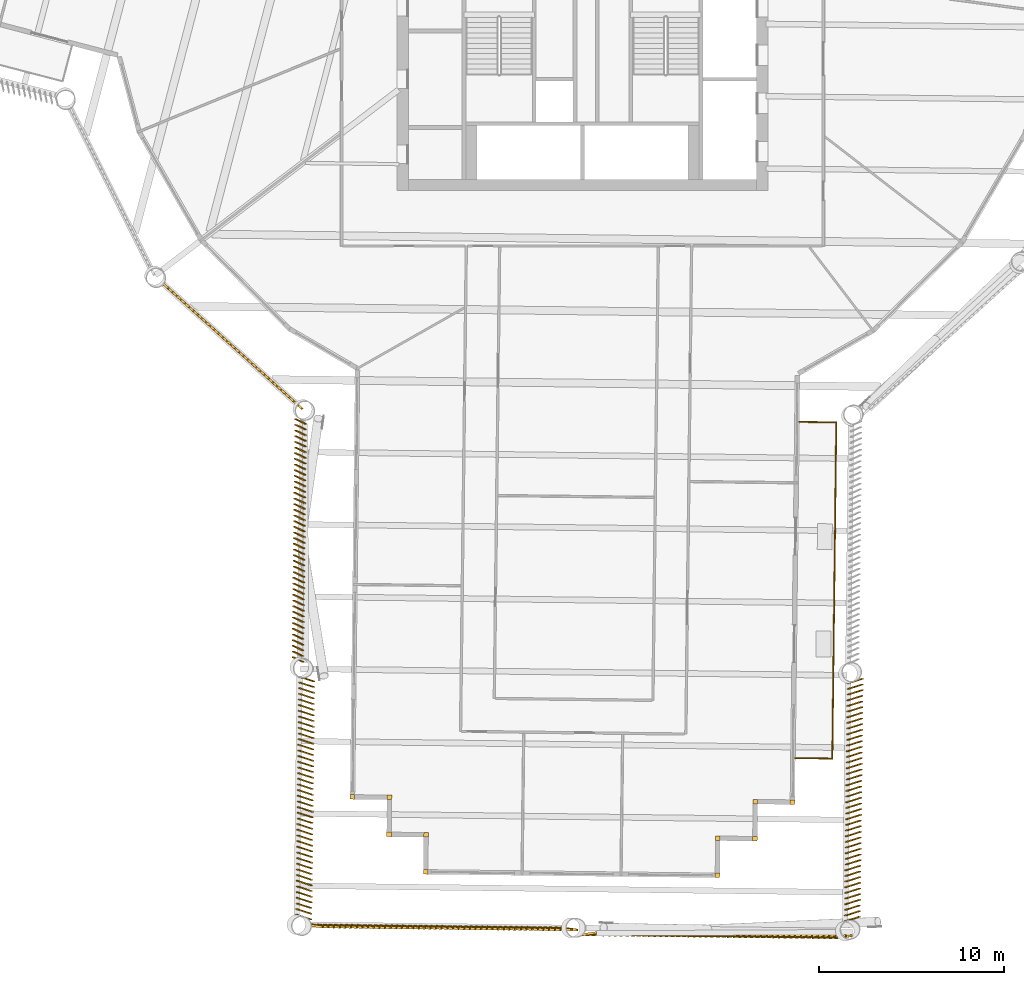
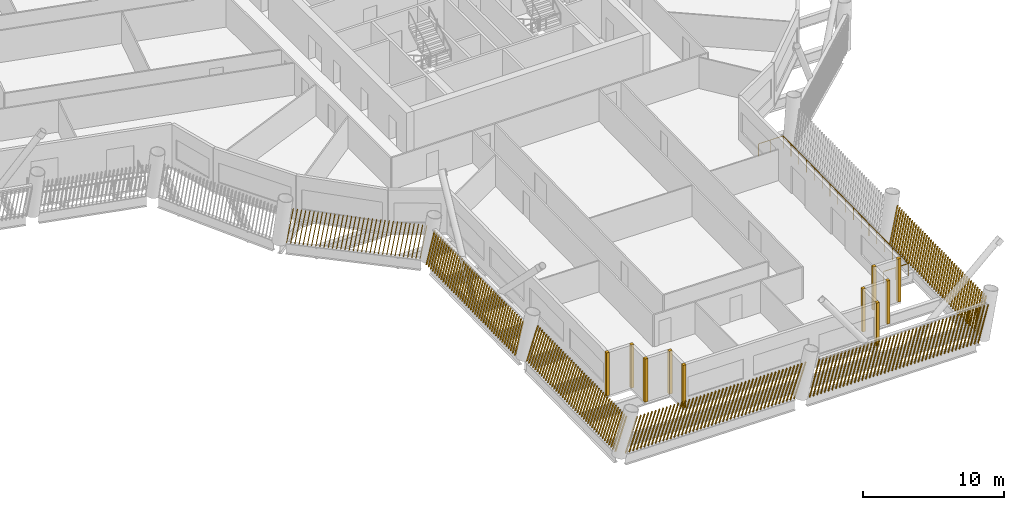
# One storey, part 17 of 21: 16 shading devices, 1 railing.
"""IFC4 building model written with IfcOpenShell, lengths in metres."""

from ifc_helpers import new_model, si_unit, direction, frame, frame_2d, origin, origin_2d, place, context, subcontext, project, spatial, rectangle, circle, composite_profile, extrude, material, type_object, element, save


model = new_model("IFC4")

# Units and contexts
model_context = context("Model", 3, precision=1e-05, world=origin(), true_north=direction((0.0, 1.0)))
body_context = subcontext(model_context, "Body", "Model", "MODEL_VIEW")
ifc_project = project(units=[si_unit("LENGTHUNIT", "METRE"), si_unit("AREAUNIT", "SQUARE_METRE"), si_unit("VOLUMEUNIT", "CUBIC_METRE"), si_unit("PLANEANGLEUNIT", "RADIAN"), si_unit("MASSUNIT", "GRAM", prefix="KILO")], contexts=[model_context])

# Site, building, storey
site_placement = place(None, origin())
site = spatial("IfcSite", under=ifc_project, at=site_placement, CompositionType="ELEMENT")
building_placement = place(site_placement, origin())
building = spatial("IfcBuilding", under=site, at=building_placement, Name="Tarsis Ring Headquarters", CompositionType="ELEMENT")
storey_placement = place(building_placement, frame((0.0, 0.0, 223.800048828125)))
storey = spatial("IfcBuildingStorey", under=building, at=storey_placement, Name="L52", CompositionType="ELEMENT", Elevation=223.800048828125)

# Railing
ifc_material_1 = material(Name="Stainless steel guard", Category="steel")
railing_type = type_object("IfcRailingType", Name="Balcony balustrade with mesh infill 1100", PredefinedType="BALUSTRADE", material=ifc_material_1)
railing_placement = place(storey_placement, frame((11.48291015625, -43.639404296875, 0.0)))
element("IfcRailing", 1, at=railing_placement, inside=storey, type_object=railing_type, Name="Balcony balustrade L52-16", PredefinedType="BALUSTRADE", context=body_context, shape_type="SweptSolid", body=[
    extrude(circle(Radius=0.030029296875, at=origin_2d()), frame((0.0, 0.0, 1.070068359375), z_axis=(0.999929887743, -0.011841435614, 0.0), x_axis=(0.011841435614, 0.999929887743, 0.0)), (0.0, 0.0, 1.0), 2.0),
    extrude(circle(Radius=0.030029296875, at=origin_2d()), frame((1.999755859375, -0.023681640625, 1.070068359375), z_axis=(0.011876701213, 0.999929469497, 0.0), x_axis=(-0.999929469497, 0.011876701213, 0.0)), (0.0, 0.0, 1.0), 18.151123046875),
    extrude(circle(Radius=0.030029296875, at=origin_2d()), frame((2.21533203125, 18.126220703125, 1.070068359375), z_axis=(-0.999928452303, 0.011962034708, 0.0), x_axis=(-0.011962034708, -0.999928452303, 0.0)), (0.0, 0.0, 1.0), 2.000244140625),
    extrude(circle(Radius=0.02490234375, at=origin_2d()), origin(), (0.0, 0.0, 1.0), 1.0400390625),
    extrude(circle(Radius=0.02490234375, at=origin_2d()), frame((1.0, -0.01171875, 0.0)), (0.0, 0.0, 1.0), 1.0400390625),
    extrude(circle(Radius=0.02490234375, at=origin_2d()), frame((1.999755859375, -0.023681640625, 0.0)), (0.0, 0.0, 1.0), 1.0400390625),
    extrude(circle(Radius=0.02490234375, at=origin_2d()), frame((2.01318359375, 1.110595703125, 0.0)), (0.0, 0.0, 1.0), 1.0400390625),
    extrude(circle(Radius=0.02490234375, at=origin_2d()), frame((2.026611328125, 2.2451171875, 0.0)), (0.0, 0.0, 1.0), 1.0400390625),
    extrude(circle(Radius=0.02490234375, at=origin_2d()), frame((2.040283203125, 3.37939453125, 0.0)), (0.0, 0.0, 1.0), 1.0400390625),
    extrude(circle(Radius=0.02490234375, at=origin_2d()), frame((2.0537109375, 4.513671875, 0.0)), (0.0, 0.0, 1.0), 1.0400390625),
    extrude(circle(Radius=0.02490234375, at=origin_2d()), frame((2.067138671875, 5.648193359375, 0.0)), (0.0, 0.0, 1.0), 1.0400390625),
    extrude(circle(Radius=0.02490234375, at=origin_2d()), frame((2.08056640625, 6.782470703125, 0.0)), (0.0, 0.0, 1.0), 1.0400390625),
    extrude(circle(Radius=0.02490234375, at=origin_2d()), frame((2.093994140625, 7.9169921875, 0.0)), (0.0, 0.0, 1.0), 1.0400390625),
    extrude(circle(Radius=0.02490234375, at=origin_2d()), frame((2.107421875, 9.05126953125, 0.0)), (0.0, 0.0, 1.0), 1.0400390625),
    extrude(circle(Radius=0.02490234375, at=origin_2d()), frame((2.12109375, 10.185546875, 0.0)), (0.0, 0.0, 1.0), 1.0400390625),
    extrude(circle(Radius=0.02490234375, at=origin_2d()), frame((2.134521484375, 11.320068359375, 0.0)), (0.0, 0.0, 1.0), 1.0400390625),
    extrude(circle(Radius=0.02490234375, at=origin_2d()), frame((2.14794921875, 12.454345703125, 0.0)), (0.0, 0.0, 1.0), 1.0400390625),
    extrude(circle(Radius=0.02490234375, at=origin_2d()), frame((2.161376953125, 13.5888671875, 0.0)), (0.0, 0.0, 1.0), 1.0400390625),
    extrude(circle(Radius=0.02490234375, at=origin_2d()), frame((2.1748046875, 14.72314453125, 0.0)), (0.0, 0.0, 1.0), 1.0400390625),
    extrude(circle(Radius=0.02490234375, at=origin_2d()), frame((2.1884765625, 15.857421875, 0.0)), (0.0, 0.0, 1.0), 1.0400390625),
    extrude(circle(Radius=0.02490234375, at=origin_2d()), frame((2.201904296875, 16.991943359375, 0.0)), (0.0, 0.0, 1.0), 1.0400390625),
    extrude(circle(Radius=0.02490234375, at=origin_2d()), frame((2.21533203125, 18.126220703125, 0.0)), (0.0, 0.0, 1.0), 1.0400390625),
    extrude(circle(Radius=0.02490234375, at=origin_2d()), frame((1.21533203125, 18.13818359375, 0.0)), (0.0, 0.0, 1.0), 1.0400390625),
    extrude(circle(Radius=0.02490234375, at=origin_2d()), frame((0.21533203125, 18.150146484375, 0.0)), (0.0, 0.0, 1.0), 1.0400390625),
])

# Shading devices
ifc_material_2 = material(Name="Terracotta baguette", Category="masonry")
shading_device_type_1 = type_object("IfcShadingDeviceType", Name="Terracotta baguette screen", PredefinedType="USERDEFINED", material=ifc_material_2)
shading_device_1_placement = place(storey_placement, frame((-22.7294921875, -17.945556640625, 0.0), z_axis=(0.0, 0.0, 1.0), x_axis=(0.743185509057, -0.66908182386, 0.0)))
element("IfcShadingDevice", 2, at=shading_device_1_placement, inside=storey, type_object=shading_device_type_1, Name="Baguette screen L52-00", ObjectType="Terracotta baguette screen", PredefinedType="USERDEFINED", context=body_context, shape_type="SweptSolid", body=[
    extrude(composite_profile([rectangle(XDim=0.06005859375, YDim=0.1201171875, at=frame_2d((0.030029296875, 0.0))), rectangle(XDim=0.06005859375, YDim=0.1201171875, at=frame_2d((0.33349609375, 0.0))), rectangle(XDim=0.06005859375, YDim=0.1201171875, at=frame_2d((0.636962890625, 0.0))), rectangle(XDim=0.06005859375, YDim=0.1201171875, at=frame_2d((0.9404296875, 0.0))), rectangle(XDim=0.06005859375, YDim=0.1201171875, at=frame_2d((1.243896484375, 0.0))), rectangle(XDim=0.06005859375, YDim=0.1201171875, at=frame_2d((1.54736328125, 0.0))), rectangle(XDim=0.06005859375, YDim=0.1201171875, at=frame_2d((1.85107421875, 0.0))), rectangle(XDim=0.06005859375, YDim=0.1201171875, at=frame_2d((2.154541015625, 0.0))), rectangle(XDim=0.06005859375, YDim=0.1201171875, at=frame_2d((2.4580078125, 0.0))), rectangle(XDim=0.06005859375, YDim=0.1201171875, at=frame_2d((2.761474609375, 0.0))), rectangle(XDim=0.06005859375, YDim=0.1201171875, at=frame_2d((3.06494140625, 0.0))), rectangle(XDim=0.06005859375, YDim=0.1201171875, at=frame_2d((3.368408203125, 0.0))), rectangle(XDim=0.06005859375, YDim=0.1201171875, at=frame_2d((3.671875, 0.0))), rectangle(XDim=0.06005859375, YDim=0.1201171875, at=frame_2d((3.975341796875, 0.0))), rectangle(XDim=0.06005859375, YDim=0.1201171875, at=frame_2d((4.27880859375, 0.0))), rectangle(XDim=0.06005859375, YDim=0.1201171875, at=frame_2d((4.582275390625, 0.0))), rectangle(XDim=0.06005859375, YDim=0.1201171875, at=frame_2d((4.8857421875, 0.0))), rectangle(XDim=0.06005859375, YDim=0.1201171875, at=frame_2d((5.189453125, 0.0))), rectangle(XDim=0.06005859375, YDim=0.1201171875, at=frame_2d((5.492919921875, 0.0))), rectangle(XDim=0.06005859375, YDim=0.1201171875, at=frame_2d((5.79638671875, 0.0))), rectangle(XDim=0.06005859375, YDim=0.1201171875, at=frame_2d((6.099853515625, 0.0))), rectangle(XDim=0.06005859375, YDim=0.1201171875, at=frame_2d((6.4033203125, 0.0))), rectangle(XDim=0.06005859375, YDim=0.1201171875, at=frame_2d((6.706787109375, 0.0))), rectangle(XDim=0.06005859375, YDim=0.1201171875, at=frame_2d((7.01025390625, 0.0))), rectangle(XDim=0.06005859375, YDim=0.1201171875, at=frame_2d((7.313720703125, 0.0))), rectangle(XDim=0.06005859375, YDim=0.1201171875, at=frame_2d((7.6171875, 0.0))), rectangle(XDim=0.06005859375, YDim=0.1201171875, at=frame_2d((7.920654296875, 0.0))), rectangle(XDim=0.06005859375, YDim=0.1201171875, at=frame_2d((8.224365234375, 0.0))), rectangle(XDim=0.06005859375, YDim=0.1201171875, at=frame_2d((8.52783203125, 0.0))), rectangle(XDim=0.06005859375, YDim=0.1201171875, at=frame_2d((8.831298828125, 0.0))), rectangle(XDim=0.06005859375, YDim=0.1201171875, at=frame_2d((9.134765625, 0.0))), rectangle(XDim=0.06005859375, YDim=0.1201171875, at=frame_2d((9.438232421875, 0.0))), rectangle(XDim=0.06005859375, YDim=0.1201171875, at=frame_2d((9.74169921875, 0.0)))]), origin(), (0.16003189007, 0.001344545829, 0.987110929104), 2.988525390625),
])
shading_device_2_placement = place(storey_placement, frame((-15.4765625, -25.313720703125, 0.0), z_axis=(0.0, 0.0, 1.0), x_axis=(-0.011864438852, -0.9999243098, 0.0)))
element("IfcShadingDevice", 3, at=shading_device_2_placement, inside=storey, type_object=shading_device_type_1, Name="Baguette screen L52-01", ObjectType="Terracotta baguette screen", PredefinedType="USERDEFINED", context=body_context, shape_type="SweptSolid", body=[
    extrude(composite_profile([rectangle(XDim=0.06005859375, YDim=0.1201171875, at=frame_2d((0.030029296875, 0.0))), rectangle(XDim=0.06005859375, YDim=0.1201171875, at=frame_2d((0.335693359375, 0.0))), rectangle(XDim=0.06005859375, YDim=0.1201171875, at=frame_2d((0.6416015625, 0.0))), rectangle(XDim=0.06005859375, YDim=0.1201171875, at=frame_2d((0.947265625, 0.0))), rectangle(XDim=0.06005859375, YDim=0.1201171875, at=frame_2d((1.253173828125, 0.0))), rectangle(XDim=0.06005859375, YDim=0.1201171875, at=frame_2d((1.558837890625, 0.0))), rectangle(XDim=0.06005859375, YDim=0.1201171875, at=frame_2d((1.864501953125, 0.0))), rectangle(XDim=0.06005859375, YDim=0.1201171875, at=frame_2d((2.17041015625, 0.0))), rectangle(XDim=0.06005859375, YDim=0.1201171875, at=frame_2d((2.47607421875, 0.0))), rectangle(XDim=0.06005859375, YDim=0.1201171875, at=frame_2d((2.781982421875, 0.0))), rectangle(XDim=0.06005859375, YDim=0.1201171875, at=frame_2d((3.087646484375, 0.0))), rectangle(XDim=0.06005859375, YDim=0.1201171875, at=frame_2d((3.393310546875, 0.0))), rectangle(XDim=0.06005859375, YDim=0.1201171875, at=frame_2d((3.69921875, 0.0))), rectangle(XDim=0.06005859375, YDim=0.1201171875, at=frame_2d((4.0048828125, 0.0))), rectangle(XDim=0.06005859375, YDim=0.1201171875, at=frame_2d((4.310791015625, 0.0))), rectangle(XDim=0.06005859375, YDim=0.1201171875, at=frame_2d((4.616455078125, 0.0))), rectangle(XDim=0.06005859375, YDim=0.1201171875, at=frame_2d((4.922119140625, 0.0))), rectangle(XDim=0.06005859375, YDim=0.1201171875, at=frame_2d((5.22802734375, 0.0))), rectangle(XDim=0.06005859375, YDim=0.1201171875, at=frame_2d((5.53369140625, 0.0))), rectangle(XDim=0.06005859375, YDim=0.1201171875, at=frame_2d((5.839599609375, 0.0))), rectangle(XDim=0.06005859375, YDim=0.1201171875, at=frame_2d((6.145263671875, 0.0))), rectangle(XDim=0.06005859375, YDim=0.1201171875, at=frame_2d((6.451171875, 0.0))), rectangle(XDim=0.06005859375, YDim=0.1201171875, at=frame_2d((6.7568359375, 0.0))), rectangle(XDim=0.06005859375, YDim=0.1201171875, at=frame_2d((7.0625, 0.0))), rectangle(XDim=0.06005859375, YDim=0.1201171875, at=frame_2d((7.368408203125, 0.0))), rectangle(XDim=0.06005859375, YDim=0.1201171875, at=frame_2d((7.674072265625, 0.0))), rectangle(XDim=0.06005859375, YDim=0.1201171875, at=frame_2d((7.97998046875, 0.0))), rectangle(XDim=0.06005859375, YDim=0.1201171875, at=frame_2d((8.28564453125, 0.0))), rectangle(XDim=0.06005859375, YDim=0.1201171875, at=frame_2d((8.59130859375, 0.0))), rectangle(XDim=0.06005859375, YDim=0.1201171875, at=frame_2d((8.897216796875, 0.0))), rectangle(XDim=0.06005859375, YDim=0.1201171875, at=frame_2d((9.202880859375, 0.0))), rectangle(XDim=0.06005859375, YDim=0.1201171875, at=frame_2d((9.5087890625, 0.0))), rectangle(XDim=0.06005859375, YDim=0.1201171875, at=frame_2d((9.814453125, 0.0))), rectangle(XDim=0.06005859375, YDim=0.1201171875, at=frame_2d((10.1201171875, 0.0))), rectangle(XDim=0.06005859375, YDim=0.1201171875, at=frame_2d((10.426025390625, 0.0))), rectangle(XDim=0.06005859375, YDim=0.1201171875, at=frame_2d((10.731689453125, 0.0))), rectangle(XDim=0.06005859375, YDim=0.1201171875, at=frame_2d((11.03759765625, 0.0))), rectangle(XDim=0.06005859375, YDim=0.1201171875, at=frame_2d((11.34326171875, 0.0))), rectangle(XDim=0.06005859375, YDim=0.1201171875, at=frame_2d((11.64892578125, 0.0))), rectangle(XDim=0.06005859375, YDim=0.1201171875, at=frame_2d((11.954833984375, 0.0))), rectangle(XDim=0.06005859375, YDim=0.1201171875, at=frame_2d((12.260498046875, 0.0))), rectangle(XDim=0.06005859375, YDim=0.1201171875, at=frame_2d((12.56640625, 0.0))), rectangle(XDim=0.06005859375, YDim=0.1201171875, at=frame_2d((12.8720703125, 0.0)))]), origin(), (0.083009128121, 0.178595420799, 0.980414789932), 3.0087890625),
])
shading_device_3_placement = place(storey_placement, frame((-15.2666015625, -39.21923828125, 0.0), z_axis=(0.0, 0.0, 1.0), x_axis=(-0.011864214351, -0.999924311232, 0.0)))
element("IfcShadingDevice", 4, at=shading_device_3_placement, inside=storey, type_object=shading_device_type_1, Name="Baguette screen L52-02", ObjectType="Terracotta baguette screen", PredefinedType="USERDEFINED", context=body_context, shape_type="SweptSolid", body=[
    extrude(composite_profile([rectangle(XDim=0.06005859375, YDim=0.1201171875, at=frame_2d((0.030029296875, 0.0))), rectangle(XDim=0.06005859375, YDim=0.1201171875, at=frame_2d((0.335693359375, 0.0))), rectangle(XDim=0.06005859375, YDim=0.1201171875, at=frame_2d((0.6416015625, 0.0))), rectangle(XDim=0.06005859375, YDim=0.1201171875, at=frame_2d((0.947265625, 0.0))), rectangle(XDim=0.06005859375, YDim=0.1201171875, at=frame_2d((1.253173828125, 0.0))), rectangle(XDim=0.06005859375, YDim=0.1201171875, at=frame_2d((1.558837890625, 0.0))), rectangle(XDim=0.06005859375, YDim=0.1201171875, at=frame_2d((1.864501953125, 0.0))), rectangle(XDim=0.06005859375, YDim=0.1201171875, at=frame_2d((2.17041015625, 0.0))), rectangle(XDim=0.06005859375, YDim=0.1201171875, at=frame_2d((2.47607421875, 0.0))), rectangle(XDim=0.06005859375, YDim=0.1201171875, at=frame_2d((2.781982421875, 0.0))), rectangle(XDim=0.06005859375, YDim=0.1201171875, at=frame_2d((3.087646484375, 0.0))), rectangle(XDim=0.06005859375, YDim=0.1201171875, at=frame_2d((3.393310546875, 0.0))), rectangle(XDim=0.06005859375, YDim=0.1201171875, at=frame_2d((3.69921875, 0.0))), rectangle(XDim=0.06005859375, YDim=0.1201171875, at=frame_2d((4.0048828125, 0.0))), rectangle(XDim=0.06005859375, YDim=0.1201171875, at=frame_2d((4.310791015625, 0.0))), rectangle(XDim=0.06005859375, YDim=0.1201171875, at=frame_2d((4.616455078125, 0.0))), rectangle(XDim=0.06005859375, YDim=0.1201171875, at=frame_2d((4.922119140625, 0.0))), rectangle(XDim=0.06005859375, YDim=0.1201171875, at=frame_2d((5.22802734375, 0.0))), rectangle(XDim=0.06005859375, YDim=0.1201171875, at=frame_2d((5.53369140625, 0.0))), rectangle(XDim=0.06005859375, YDim=0.1201171875, at=frame_2d((5.839599609375, 0.0))), rectangle(XDim=0.06005859375, YDim=0.1201171875, at=frame_2d((6.145263671875, 0.0))), rectangle(XDim=0.06005859375, YDim=0.1201171875, at=frame_2d((6.451171875, 0.0))), rectangle(XDim=0.06005859375, YDim=0.1201171875, at=frame_2d((6.7568359375, 0.0))), rectangle(XDim=0.06005859375, YDim=0.1201171875, at=frame_2d((7.0625, 0.0))), rectangle(XDim=0.06005859375, YDim=0.1201171875, at=frame_2d((7.368408203125, 0.0))), rectangle(XDim=0.06005859375, YDim=0.1201171875, at=frame_2d((7.674072265625, 0.0))), rectangle(XDim=0.06005859375, YDim=0.1201171875, at=frame_2d((7.97998046875, 0.0))), rectangle(XDim=0.06005859375, YDim=0.1201171875, at=frame_2d((8.28564453125, 0.0))), rectangle(XDim=0.06005859375, YDim=0.1201171875, at=frame_2d((8.59130859375, 0.0))), rectangle(XDim=0.06005859375, YDim=0.1201171875, at=frame_2d((8.897216796875, 0.0))), rectangle(XDim=0.06005859375, YDim=0.1201171875, at=frame_2d((9.202880859375, 0.0))), rectangle(XDim=0.06005859375, YDim=0.1201171875, at=frame_2d((9.5087890625, 0.0))), rectangle(XDim=0.06005859375, YDim=0.1201171875, at=frame_2d((9.814453125, 0.0))), rectangle(XDim=0.06005859375, YDim=0.1201171875, at=frame_2d((10.1201171875, 0.0))), rectangle(XDim=0.06005859375, YDim=0.1201171875, at=frame_2d((10.426025390625, 0.0))), rectangle(XDim=0.06005859375, YDim=0.1201171875, at=frame_2d((10.731689453125, 0.0))), rectangle(XDim=0.06005859375, YDim=0.1201171875, at=frame_2d((11.03759765625, 0.0))), rectangle(XDim=0.06005859375, YDim=0.1201171875, at=frame_2d((11.34326171875, 0.0))), rectangle(XDim=0.06005859375, YDim=0.1201171875, at=frame_2d((11.64892578125, 0.0))), rectangle(XDim=0.06005859375, YDim=0.1201171875, at=frame_2d((11.954833984375, 0.0))), rectangle(XDim=0.06005859375, YDim=0.1201171875, at=frame_2d((12.260498046875, 0.0))), rectangle(XDim=0.06005859375, YDim=0.1201171875, at=frame_2d((12.56640625, 0.0))), rectangle(XDim=0.06005859375, YDim=0.1201171875, at=frame_2d((12.8720703125, 0.0)))]), origin(), (0.078972721662, 0.251844522711, 0.964540121309), 3.058349609375),
])
shading_device_4_placement = place(storey_placement, frame((-14.925537109375, -52.62646484375, 0.0), z_axis=(0.0, 0.0, 1.0), x_axis=(0.9999292336, -0.011871063619, 0.0)))
element("IfcShadingDevice", 5, at=shading_device_4_placement, inside=storey, type_object=shading_device_type_1, Name="Baguette screen L52-03", ObjectType="Terracotta baguette screen", PredefinedType="USERDEFINED", context=body_context, shape_type="SweptSolid", body=[
    extrude(composite_profile([rectangle(XDim=0.06005859375, YDim=0.1201171875, at=frame_2d((0.030029296875, 0.0))), rectangle(XDim=0.06005859375, YDim=0.1201171875, at=frame_2d((0.33544921875, 0.0))), rectangle(XDim=0.06005859375, YDim=0.1201171875, at=frame_2d((0.640625, 0.0))), rectangle(XDim=0.06005859375, YDim=0.1201171875, at=frame_2d((0.946044921875, 0.0))), rectangle(XDim=0.06005859375, YDim=0.1201171875, at=frame_2d((1.25146484375, 0.0))), rectangle(XDim=0.06005859375, YDim=0.1201171875, at=frame_2d((1.556640625, 0.0))), rectangle(XDim=0.06005859375, YDim=0.1201171875, at=frame_2d((1.862060546875, 0.0))), rectangle(XDim=0.06005859375, YDim=0.1201171875, at=frame_2d((2.16748046875, 0.0))), rectangle(XDim=0.06005859375, YDim=0.1201171875, at=frame_2d((2.47265625, 0.0))), rectangle(XDim=0.06005859375, YDim=0.1201171875, at=frame_2d((2.778076171875, 0.0))), rectangle(XDim=0.06005859375, YDim=0.1201171875, at=frame_2d((3.08349609375, 0.0))), rectangle(XDim=0.06005859375, YDim=0.1201171875, at=frame_2d((3.388671875, 0.0))), rectangle(XDim=0.06005859375, YDim=0.1201171875, at=frame_2d((3.694091796875, 0.0))), rectangle(XDim=0.06005859375, YDim=0.1201171875, at=frame_2d((3.99951171875, 0.0))), rectangle(XDim=0.06005859375, YDim=0.1201171875, at=frame_2d((4.3046875, 0.0))), rectangle(XDim=0.06005859375, YDim=0.1201171875, at=frame_2d((4.610107421875, 0.0))), rectangle(XDim=0.06005859375, YDim=0.1201171875, at=frame_2d((4.91552734375, 0.0))), rectangle(XDim=0.06005859375, YDim=0.1201171875, at=frame_2d((5.220703125, 0.0))), rectangle(XDim=0.06005859375, YDim=0.1201171875, at=frame_2d((5.526123046875, 0.0))), rectangle(XDim=0.06005859375, YDim=0.1201171875, at=frame_2d((5.83154296875, 0.0))), rectangle(XDim=0.06005859375, YDim=0.1201171875, at=frame_2d((6.13671875, 0.0))), rectangle(XDim=0.06005859375, YDim=0.1201171875, at=frame_2d((6.442138671875, 0.0))), rectangle(XDim=0.06005859375, YDim=0.1201171875, at=frame_2d((6.74755859375, 0.0))), rectangle(XDim=0.06005859375, YDim=0.1201171875, at=frame_2d((7.052734375, 0.0))), rectangle(XDim=0.06005859375, YDim=0.1201171875, at=frame_2d((7.358154296875, 0.0))), rectangle(XDim=0.06005859375, YDim=0.1201171875, at=frame_2d((7.66357421875, 0.0))), rectangle(XDim=0.06005859375, YDim=0.1201171875, at=frame_2d((7.96875, 0.0))), rectangle(XDim=0.06005859375, YDim=0.1201171875, at=frame_2d((8.274169921875, 0.0))), rectangle(XDim=0.06005859375, YDim=0.1201171875, at=frame_2d((8.57958984375, 0.0))), rectangle(XDim=0.06005859375, YDim=0.1201171875, at=frame_2d((8.884765625, 0.0))), rectangle(XDim=0.06005859375, YDim=0.1201171875, at=frame_2d((9.190185546875, 0.0))), rectangle(XDim=0.06005859375, YDim=0.1201171875, at=frame_2d((9.49560546875, 0.0))), rectangle(XDim=0.06005859375, YDim=0.1201171875, at=frame_2d((9.80078125, 0.0))), rectangle(XDim=0.06005859375, YDim=0.1201171875, at=frame_2d((10.106201171875, 0.0))), rectangle(XDim=0.06005859375, YDim=0.1201171875, at=frame_2d((10.41162109375, 0.0))), rectangle(XDim=0.06005859375, YDim=0.1201171875, at=frame_2d((10.716796875, 0.0))), rectangle(XDim=0.06005859375, YDim=0.1201171875, at=frame_2d((11.022216796875, 0.0))), rectangle(XDim=0.06005859375, YDim=0.1201171875, at=frame_2d((11.32763671875, 0.0))), rectangle(XDim=0.06005859375, YDim=0.1201171875, at=frame_2d((11.6328125, 0.0))), rectangle(XDim=0.06005859375, YDim=0.1201171875, at=frame_2d((11.938232421875, 0.0))), rectangle(XDim=0.06005859375, YDim=0.1201171875, at=frame_2d((12.24365234375, 0.0))), rectangle(XDim=0.06005859375, YDim=0.1201171875, at=frame_2d((12.548828125, 0.0))), rectangle(XDim=0.06005859375, YDim=0.1201171875, at=frame_2d((12.854248046875, 0.0))), rectangle(XDim=0.06005859375, YDim=0.1201171875, at=frame_2d((13.15966796875, 0.0))), rectangle(XDim=0.06005859375, YDim=0.1201171875, at=frame_2d((13.46484375, 0.0))), rectangle(XDim=0.06005859375, YDim=0.1201171875, at=frame_2d((13.770263671875, 0.0)))]), origin(), (0.287345775957, -0.037819346427, 0.957079987292), 3.082275390625),
])
shading_device_5_placement = place(storey_placement, frame((-0.131103515625, -53.17724609375, 0.0), z_axis=(0.0, 0.0, 1.0), x_axis=(0.999929234852, -0.011870853605, 0.0)))
element("IfcShadingDevice", 6, at=shading_device_5_placement, inside=storey, type_object=shading_device_type_1, Name="Baguette screen L52-04", ObjectType="Terracotta baguette screen", PredefinedType="USERDEFINED", context=body_context, shape_type="SweptSolid", body=[
    extrude(composite_profile([rectangle(XDim=0.06005859375, YDim=0.1201171875, at=frame_2d((0.030029296875, 0.0))), rectangle(XDim=0.06005859375, YDim=0.1201171875, at=frame_2d((0.33544921875, 0.0))), rectangle(XDim=0.06005859375, YDim=0.1201171875, at=frame_2d((0.640625, 0.0))), rectangle(XDim=0.06005859375, YDim=0.1201171875, at=frame_2d((0.946044921875, 0.0))), rectangle(XDim=0.06005859375, YDim=0.1201171875, at=frame_2d((1.25146484375, 0.0))), rectangle(XDim=0.06005859375, YDim=0.1201171875, at=frame_2d((1.556640625, 0.0))), rectangle(XDim=0.06005859375, YDim=0.1201171875, at=frame_2d((1.862060546875, 0.0))), rectangle(XDim=0.06005859375, YDim=0.1201171875, at=frame_2d((2.16748046875, 0.0))), rectangle(XDim=0.06005859375, YDim=0.1201171875, at=frame_2d((2.47265625, 0.0))), rectangle(XDim=0.06005859375, YDim=0.1201171875, at=frame_2d((2.778076171875, 0.0))), rectangle(XDim=0.06005859375, YDim=0.1201171875, at=frame_2d((3.08349609375, 0.0))), rectangle(XDim=0.06005859375, YDim=0.1201171875, at=frame_2d((3.388671875, 0.0))), rectangle(XDim=0.06005859375, YDim=0.1201171875, at=frame_2d((3.694091796875, 0.0))), rectangle(XDim=0.06005859375, YDim=0.1201171875, at=frame_2d((3.99951171875, 0.0))), rectangle(XDim=0.06005859375, YDim=0.1201171875, at=frame_2d((4.3046875, 0.0))), rectangle(XDim=0.06005859375, YDim=0.1201171875, at=frame_2d((4.610107421875, 0.0))), rectangle(XDim=0.06005859375, YDim=0.1201171875, at=frame_2d((4.91552734375, 0.0))), rectangle(XDim=0.06005859375, YDim=0.1201171875, at=frame_2d((5.220703125, 0.0))), rectangle(XDim=0.06005859375, YDim=0.1201171875, at=frame_2d((5.526123046875, 0.0))), rectangle(XDim=0.06005859375, YDim=0.1201171875, at=frame_2d((5.83154296875, 0.0))), rectangle(XDim=0.06005859375, YDim=0.1201171875, at=frame_2d((6.13671875, 0.0))), rectangle(XDim=0.06005859375, YDim=0.1201171875, at=frame_2d((6.442138671875, 0.0))), rectangle(XDim=0.06005859375, YDim=0.1201171875, at=frame_2d((6.74755859375, 0.0))), rectangle(XDim=0.06005859375, YDim=0.1201171875, at=frame_2d((7.052734375, 0.0))), rectangle(XDim=0.06005859375, YDim=0.1201171875, at=frame_2d((7.358154296875, 0.0))), rectangle(XDim=0.06005859375, YDim=0.1201171875, at=frame_2d((7.66357421875, 0.0))), rectangle(XDim=0.06005859375, YDim=0.1201171875, at=frame_2d((7.96875, 0.0))), rectangle(XDim=0.06005859375, YDim=0.1201171875, at=frame_2d((8.274169921875, 0.0))), rectangle(XDim=0.06005859375, YDim=0.1201171875, at=frame_2d((8.57958984375, 0.0))), rectangle(XDim=0.06005859375, YDim=0.1201171875, at=frame_2d((8.884765625, 0.0))), rectangle(XDim=0.06005859375, YDim=0.1201171875, at=frame_2d((9.190185546875, 0.0))), rectangle(XDim=0.06005859375, YDim=0.1201171875, at=frame_2d((9.49560546875, 0.0))), rectangle(XDim=0.06005859375, YDim=0.1201171875, at=frame_2d((9.80078125, 0.0))), rectangle(XDim=0.06005859375, YDim=0.1201171875, at=frame_2d((10.106201171875, 0.0))), rectangle(XDim=0.06005859375, YDim=0.1201171875, at=frame_2d((10.41162109375, 0.0))), rectangle(XDim=0.06005859375, YDim=0.1201171875, at=frame_2d((10.716796875, 0.0))), rectangle(XDim=0.06005859375, YDim=0.1201171875, at=frame_2d((11.022216796875, 0.0))), rectangle(XDim=0.06005859375, YDim=0.1201171875, at=frame_2d((11.32763671875, 0.0))), rectangle(XDim=0.06005859375, YDim=0.1201171875, at=frame_2d((11.6328125, 0.0))), rectangle(XDim=0.06005859375, YDim=0.1201171875, at=frame_2d((11.938232421875, 0.0))), rectangle(XDim=0.06005859375, YDim=0.1201171875, at=frame_2d((12.24365234375, 0.0))), rectangle(XDim=0.06005859375, YDim=0.1201171875, at=frame_2d((12.548828125, 0.0))), rectangle(XDim=0.06005859375, YDim=0.1201171875, at=frame_2d((12.854248046875, 0.0))), rectangle(XDim=0.06005859375, YDim=0.1201171875, at=frame_2d((13.15966796875, 0.0))), rectangle(XDim=0.06005859375, YDim=0.1201171875, at=frame_2d((13.46484375, 0.0))), rectangle(XDim=0.06005859375, YDim=0.1201171875, at=frame_2d((13.770263671875, 0.0)))]), origin(), (0.288540990013, 0.042622129326, 0.956518400855), 3.083984375),
])
shading_device_6_placement = place(storey_placement, frame((14.17822265625, -52.471923828125, 0.0), z_axis=(0.0, 0.0, 1.0), x_axis=(0.011864214351, 0.999924311232, 0.0)))
element("IfcShadingDevice", 7, at=shading_device_6_placement, inside=storey, type_object=shading_device_type_1, Name="Baguette screen L52-05", ObjectType="Terracotta baguette screen", PredefinedType="USERDEFINED", context=body_context, shape_type="SweptSolid", body=[
    extrude(composite_profile([rectangle(XDim=0.06005859375, YDim=0.1201171875, at=frame_2d((0.030029296875, 0.0))), rectangle(XDim=0.06005859375, YDim=0.1201171875, at=frame_2d((0.335693359375, 0.0))), rectangle(XDim=0.06005859375, YDim=0.1201171875, at=frame_2d((0.6416015625, 0.0))), rectangle(XDim=0.06005859375, YDim=0.1201171875, at=frame_2d((0.947265625, 0.0))), rectangle(XDim=0.06005859375, YDim=0.1201171875, at=frame_2d((1.253173828125, 0.0))), rectangle(XDim=0.06005859375, YDim=0.1201171875, at=frame_2d((1.558837890625, 0.0))), rectangle(XDim=0.06005859375, YDim=0.1201171875, at=frame_2d((1.864501953125, 0.0))), rectangle(XDim=0.06005859375, YDim=0.1201171875, at=frame_2d((2.17041015625, 0.0))), rectangle(XDim=0.06005859375, YDim=0.1201171875, at=frame_2d((2.47607421875, 0.0))), rectangle(XDim=0.06005859375, YDim=0.1201171875, at=frame_2d((2.781982421875, 0.0))), rectangle(XDim=0.06005859375, YDim=0.1201171875, at=frame_2d((3.087646484375, 0.0))), rectangle(XDim=0.06005859375, YDim=0.1201171875, at=frame_2d((3.393310546875, 0.0))), rectangle(XDim=0.06005859375, YDim=0.1201171875, at=frame_2d((3.69921875, 0.0))), rectangle(XDim=0.06005859375, YDim=0.1201171875, at=frame_2d((4.0048828125, 0.0))), rectangle(XDim=0.06005859375, YDim=0.1201171875, at=frame_2d((4.310791015625, 0.0))), rectangle(XDim=0.06005859375, YDim=0.1201171875, at=frame_2d((4.616455078125, 0.0))), rectangle(XDim=0.06005859375, YDim=0.1201171875, at=frame_2d((4.922119140625, 0.0))), rectangle(XDim=0.06005859375, YDim=0.1201171875, at=frame_2d((5.22802734375, 0.0))), rectangle(XDim=0.06005859375, YDim=0.1201171875, at=frame_2d((5.53369140625, 0.0))), rectangle(XDim=0.06005859375, YDim=0.1201171875, at=frame_2d((5.839599609375, 0.0))), rectangle(XDim=0.06005859375, YDim=0.1201171875, at=frame_2d((6.145263671875, 0.0))), rectangle(XDim=0.06005859375, YDim=0.1201171875, at=frame_2d((6.451171875, 0.0))), rectangle(XDim=0.06005859375, YDim=0.1201171875, at=frame_2d((6.7568359375, 0.0))), rectangle(XDim=0.06005859375, YDim=0.1201171875, at=frame_2d((7.0625, 0.0))), rectangle(XDim=0.06005859375, YDim=0.1201171875, at=frame_2d((7.368408203125, 0.0))), rectangle(XDim=0.06005859375, YDim=0.1201171875, at=frame_2d((7.674072265625, 0.0))), rectangle(XDim=0.06005859375, YDim=0.1201171875, at=frame_2d((7.97998046875, 0.0))), rectangle(XDim=0.06005859375, YDim=0.1201171875, at=frame_2d((8.28564453125, 0.0))), rectangle(XDim=0.06005859375, YDim=0.1201171875, at=frame_2d((8.59130859375, 0.0))), rectangle(XDim=0.06005859375, YDim=0.1201171875, at=frame_2d((8.897216796875, 0.0))), rectangle(XDim=0.06005859375, YDim=0.1201171875, at=frame_2d((9.202880859375, 0.0))), rectangle(XDim=0.06005859375, YDim=0.1201171875, at=frame_2d((9.5087890625, 0.0))), rectangle(XDim=0.06005859375, YDim=0.1201171875, at=frame_2d((9.814453125, 0.0))), rectangle(XDim=0.06005859375, YDim=0.1201171875, at=frame_2d((10.1201171875, 0.0))), rectangle(XDim=0.06005859375, YDim=0.1201171875, at=frame_2d((10.426025390625, 0.0))), rectangle(XDim=0.06005859375, YDim=0.1201171875, at=frame_2d((10.731689453125, 0.0))), rectangle(XDim=0.06005859375, YDim=0.1201171875, at=frame_2d((11.03759765625, 0.0))), rectangle(XDim=0.06005859375, YDim=0.1201171875, at=frame_2d((11.34326171875, 0.0))), rectangle(XDim=0.06005859375, YDim=0.1201171875, at=frame_2d((11.64892578125, 0.0))), rectangle(XDim=0.06005859375, YDim=0.1201171875, at=frame_2d((11.954833984375, 0.0))), rectangle(XDim=0.06005859375, YDim=0.1201171875, at=frame_2d((12.260498046875, 0.0))), rectangle(XDim=0.06005859375, YDim=0.1201171875, at=frame_2d((12.56640625, 0.0))), rectangle(XDim=0.06005859375, YDim=0.1201171875, at=frame_2d((12.8720703125, 0.0)))]), origin(), (0.083179618316, -0.250486582644, 0.964540109592), 3.058349609375),
])
shading_device_type_2 = type_object("IfcShadingDeviceType", Name="Terracotta corner baguette 250x250", PredefinedType="USERDEFINED", material=ifc_material_2)
for number, where, z_axis, x_axis, name in (
    (8, (-12.418701171875, -45.73095703125, 0.0), (0.0, 0.0, 1.0), (-0.011867942846, -0.999929573486, 0.0), "Corner baguette L52-07"),
    (9, (-10.418701171875, -45.754638671875, 0.0), (0.0, 0.0, 1.0), (0.999929572865, -0.011867995203, 0.0), "Corner baguette L52-08"),
    (10, (-10.4423828125, -47.75439453125, 0.0), (0.0, 0.0, 1.0), (-0.011868012655, -0.999929572658, 0.0), "Corner baguette L52-09"),
    (11, (-8.442626953125, -47.778076171875, 0.0), (0.0, 0.0, 1.0), (0.999929566858, -0.011868501312, 0.0), "Corner baguette L52-10"),
    (12, (-8.46630859375, -49.778076171875, 0.0), (0.0, 0.0, 1.0), (-0.011867995203, -0.999929572865, 0.0), "Corner baguette L52-11"),
    (13, (7.282470703125, -49.96484375, 0.0), (0.0, 0.0, 1.0), (0.999929573486, -0.011867942846, 0.0), "Corner baguette L52-12"),
    (14, (7.30615234375, -47.965087890625, 0.0), (0.0, 0.0, 1.0), (0.011867995203, 0.999929572865, 0.0), "Corner baguette L52-13"),
    (15, (9.30615234375, -47.98876953125, 0.0), (0.0, 0.0, 1.0), (0.999929572865, -0.011867995203, 0.0), "Corner baguette L52-14"),
    (16, (9.329833984375, -45.989013671875, 0.0), (0.0, 0.0, 1.0), (0.011867995203, 0.999929572865, 0.0), "Corner baguette L52-15"),
    (17, (11.329833984375, -46.0126953125, 0.0), (0.0, 0.0, 1.0), (0.999929566858, -0.011868501312, 0.0), "Corner baguette L52-16"),
):
    element("IfcShadingDevice", number, at=place(storey_placement, frame(where, z_axis=z_axis, x_axis=x_axis)), inside=storey, type_object=shading_device_type_2, Name=name, ObjectType="Terracotta corner baguette", PredefinedType="USERDEFINED", context=body_context, shape_type="SweptSolid", body=[
        extrude(rectangle(XDim=0.25, YDim=0.25, at=origin_2d()), origin(), (0.0, 0.0, 1.0), 3.739990234375),
    ])

save(model, "model.ifc")
